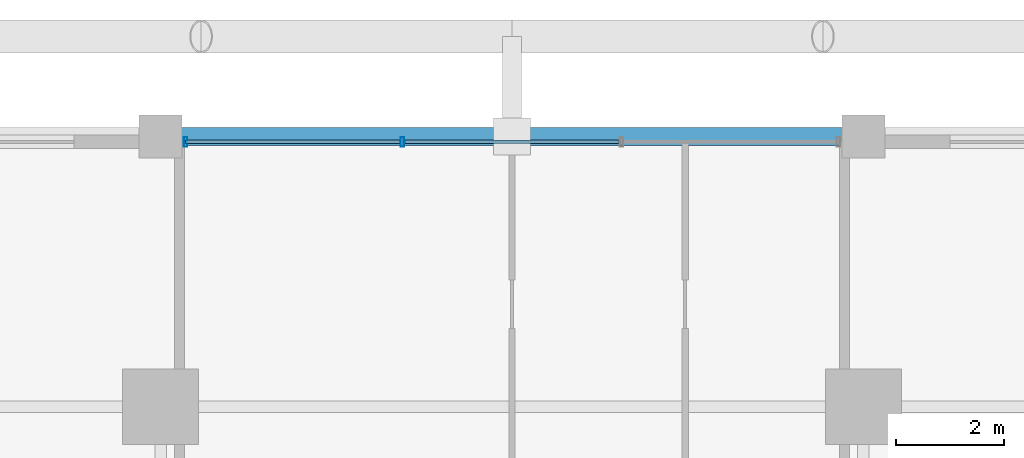
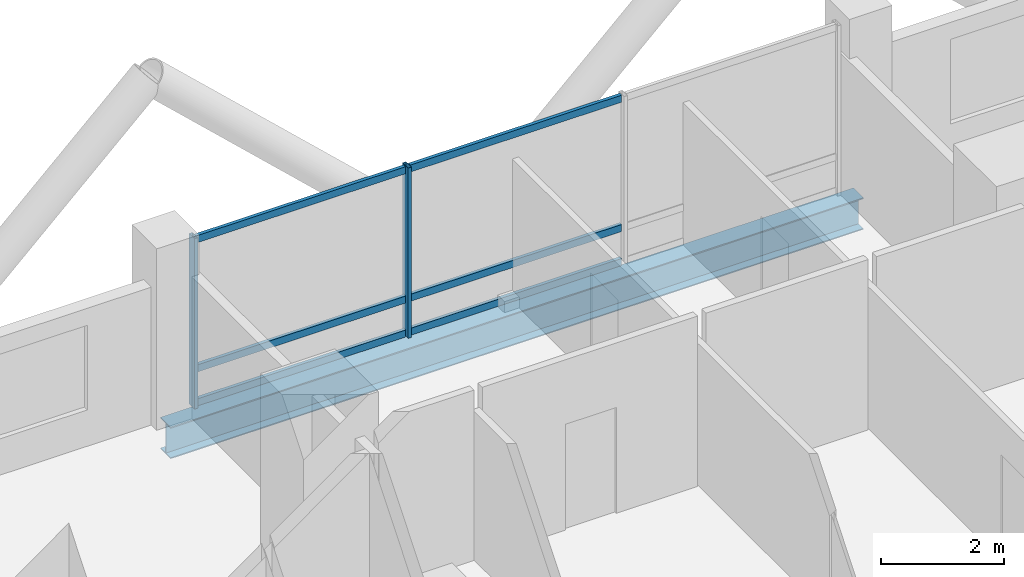
# One storey, part 15 of 28: 8 members, 1 beam, 1 element without a shape of its own.
"""IFC4 building model written with IfcOpenShell, lengths in metres."""

import ifcopenshell
import ifcopenshell.guid

model = None  # the IFC model being written
_history = None  # IfcOwnerHistory: only IFC2X3 demands one
_inside = {}  # id of a spatial element -> (the spatial element, [elements in it])
_under = {}  # id of a project, library or spatial element -> (it, [spatial elements below it])
_declared = {}  # id of a project -> (the project, [libraries it declares])
_typed = {}  # id of a type object -> (the type object, [elements of that type])
_made_of = {}  # id of a material, layer set ... -> (it, [elements and type objects made of it])


def new_model(schema):
    """Start an empty IFC model of exactly this schema.

    Asked for "IFC4X3", IfcOpenShell would pick the latest addendum, in which some entities
    have other attributes; the version numbers below select the first issue.
    IFC2X3 requires an IfcOwnerHistory on every rooted entity: one is made here for all.
    """
    global model, _history
    if schema == "IFC4X3":
        model = ifcopenshell.file(schema_version=(4, 3, 0, 0))
    else:
        model = ifcopenshell.file(schema=schema)
    _inside.clear()
    _under.clear()
    _declared.clear()
    _typed.clear()
    _made_of.clear()
    _history = None
    if model.schema == "IFC2X3":
        org = make("IfcOrganization", Name="unknown")
        user = make(
            "IfcPersonAndOrganization",
            ThePerson=make("IfcPerson", FamilyName="unknown"),
            TheOrganization=org,
        )
        app = make(
            "IfcApplication",
            ApplicationDeveloper=org,
            Version="unknown",
            ApplicationFullName="unknown",
            ApplicationIdentifier="unknown",
        )
        _history = make(
            "IfcOwnerHistory",
            OwningUser=user,
            OwningApplication=app,
            ChangeAction="ADDED",
            CreationDate=0,
        )
    return model


def make(cls, **values):
    """One entity of the class cls with the attributes given. An attribute that is None is left unset."""
    return model.create_entity(
        cls, **{name: value for name, value in values.items() if value is not None}
    )


def rooted(cls, **values):
    """An entity with a GlobalId (a new one), such as an element, a storey or a relation."""
    return make(cls, GlobalId=ifcopenshell.guid.new(), OwnerHistory=_history, **values)


def si_unit(unit_type, name, prefix=None):
    """IfcSIUnit, for example si_unit("LENGTHUNIT", "METRE", prefix="MILLI")."""
    return make("IfcSIUnit", UnitType=unit_type, Prefix=prefix, Name=name)


def assignment(units):
    """IfcUnitAssignment: the units of a project."""
    return None if units is None else make("IfcUnitAssignment", Units=units)


def point(xyz):
    """IfcCartesianPoint."""
    return None if xyz is None else make("IfcCartesianPoint", Coordinates=xyz)


def direction(xyz):
    """IfcDirection."""
    return None if xyz is None else make("IfcDirection", DirectionRatios=xyz)


def frame(location, z_axis=None, x_axis=None):
    """IfcAxis2Placement3D, a coordinate frame: its origin and axes. An axis left out is left unset."""
    return make(
        "IfcAxis2Placement3D",
        Location=point(location),
        Axis=direction(z_axis),
        RefDirection=direction(x_axis),
    )


def frame_2d(location, x_axis=None):
    """IfcAxis2Placement2D, a coordinate frame in the plane: its origin and x axis."""
    return make(
        "IfcAxis2Placement2D", Location=point(location), RefDirection=direction(x_axis)
    )


def origin():
    """The frame at (0, 0, 0) with its axes left unset."""
    return frame((0.0, 0.0, 0.0))


def origin_2d():
    """The frame at (0, 0) in the plane with its x axis left unset."""
    return frame_2d((0.0, 0.0))


def place(relative_to, where):
    """IfcLocalPlacement: puts the frame where relative to a parent placement (None: the world)."""
    return make(
        "IfcLocalPlacement", PlacementRelTo=relative_to, RelativePlacement=where
    )


def context(
    kind, dimensions, precision=None, world=None, true_north=None, identifier=None
):
    """IfcGeometricRepresentationContext, for example the 3D "Model" context."""
    return make(
        "IfcGeometricRepresentationContext",
        ContextIdentifier=identifier,
        ContextType=kind,
        CoordinateSpaceDimension=dimensions,
        Precision=precision,
        WorldCoordinateSystem=world,
        TrueNorth=true_north,
    )


def subcontext(parent, identifier, kind, view, scale=None):
    """IfcGeometricRepresentationSubContext, for example "Body" below "Model"."""
    return make(
        "IfcGeometricRepresentationSubContext",
        ContextIdentifier=identifier,
        ContextType=kind,
        ParentContext=parent,
        TargetScale=scale,
        TargetView=view,
    )


def project(units=None, contexts=None):
    """IfcProject with its units and contexts."""
    return rooted(
        "IfcProject",
        Name="project",
        RepresentationContexts=contexts,
        UnitsInContext=assignment(units),
    )


def spatial(cls, under=None, at=None, **own):
    """A site, building, storey or space (cls), placed at a placement, below another one or the project."""
    s = rooted(cls, ObjectPlacement=at, **own)
    if under is not None:
        _under.setdefault(under.id(), (under, []))[1].append(s)
    return s


def profile(cls, at=None, kind="AREA", **sizes):
    """A parametric profile (cls). Its sizes go by their IFC names, for example OverallWidth=200.0."""
    return make(cls, ProfileType=kind, Position=at, **sizes)


def hollow_rectangle(**sizes):
    """IfcRectangleHollowProfileDef."""
    return profile("IfcRectangleHollowProfileDef", **sizes)


def i_section(**sizes):
    """IfcIShapeProfileDef."""
    return profile("IfcIShapeProfileDef", **sizes)


def extrude(swept, where, along, depth):
    """IfcExtrudedAreaSolid: the profile swept, set in the frame where, extruded along a direction by depth."""
    return make(
        "IfcExtrudedAreaSolid",
        SweptArea=swept,
        Position=where,
        ExtrudedDirection=direction(along),
        Depth=depth,
    )


def shape(context_of_items, identifier, shape_type, items):
    """IfcShapeRepresentation: the items that make up one representation, for example the "Body"."""
    return make(
        "IfcShapeRepresentation",
        ContextOfItems=context_of_items,
        RepresentationIdentifier=identifier,
        RepresentationType=shape_type,
        Items=items,
    )


def material(Name=None, Category=None):
    """IfcMaterial."""
    return make("IfcMaterial", Name=Name, Category=Category)


def layer(
    of_material, thickness, ventilated=None, Name=None, Category=None, Priority=None
):
    """IfcMaterialLayer: one layer of a wall or slab, of a material (None: an air gap)."""
    return make(
        "IfcMaterialLayer",
        Material=of_material,
        LayerThickness=thickness,
        IsVentilated=ventilated,
        Name=Name,
        Category=Category,
        Priority=Priority,
    )


def layer_set(layers, Name=None):
    """IfcMaterialLayerSet."""
    return make("IfcMaterialLayerSet", MaterialLayers=layers, LayerSetName=Name)


def material_profile(
    of_material, cross_section, Name=None, Category=None, Priority=None
):
    """IfcMaterialProfile: a cross section and its material."""
    return make(
        "IfcMaterialProfile",
        Name=Name,
        Material=of_material,
        Profile=cross_section,
        Priority=Priority,
        Category=Category,
    )


def profile_set(profiles, Name=None, composite=None):
    """IfcMaterialProfileSet."""
    return make(
        "IfcMaterialProfileSet",
        Name=Name,
        MaterialProfiles=profiles,
        CompositeProfile=composite,
    )


def made_of(thing, what):
    """Note that an element or type object is made of a material, layer set ...; save() writes the relation."""
    if what is not None:
        _made_of.setdefault(what.id(), (what, []))[1].append(thing)
    return thing


def type_object(cls, material=None, **own):
    """A type object (cls), such as IfcWallType, which elements share."""
    return made_of(rooted(cls, **own), material)


def element(
    cls,
    number,
    at=None,
    inside=None,
    cuts=None,
    type_object=None,
    material=None,
    context=None,
    identifier="Body",
    shape_type=None,
    held_by="IfcProductDefinitionShape",
    body=None,
    shapes=None,
    **own,
):
    """One element of the class cls, such as IfcWall. Its Tag is "e" and its number.

    at: its placement. inside: the storey or other place that contains it. cuts: it is an
    opening in that element (IfcRelVoidsElement). A single representation is given by context,
    identifier, shape_type and body (its items); several are given by shapes. held_by: the class
    of the entity that holds the representations. save() writes the other relations.
    """
    e = rooted(cls, Tag="e%d" % number, ObjectPlacement=at, **own)
    if body is not None:
        shapes = [shape(context, identifier, shape_type, body)]
    if shapes is not None:
        e.Representation = make(held_by, Representations=shapes)
    if inside is not None:
        _inside.setdefault(inside.id(), (inside, []))[1].append(e)
    if cuts is not None:
        rooted(
            "IfcRelVoidsElement", RelatingBuildingElement=cuts, RelatedOpeningElement=e
        )
    if type_object is not None:
        _typed.setdefault(type_object.id(), (type_object, []))[1].append(e)
    return made_of(e, material)


def aggregate(whole, parts):
    """IfcRelAggregates: a whole, such as a stair, and the parts it consists of."""
    return rooted("IfcRelAggregates", RelatingObject=whole, RelatedObjects=parts)


def save(model, path):
    """Write the relations noted so far, then the file.

    IfcRelAggregates (storeys below a building ...), IfcRelContainedInSpatialStructure (elements
    in a storey), IfcRelDefinesByType, IfcRelAssociatesMaterial and IfcRelDeclares: one each for
    every whole, place, type object, material and project.
    """
    for whole, parts in _under.values():
        aggregate(whole, parts)
    for where, things in _inside.values():
        rooted(
            "IfcRelContainedInSpatialStructure",
            RelatedElements=things,
            RelatingStructure=where,
        )
    for kind, things in _typed.values():
        rooted("IfcRelDefinesByType", RelatedObjects=things, RelatingType=kind)
    for what, things in _made_of.values():
        rooted("IfcRelAssociatesMaterial", RelatedObjects=things, RelatingMaterial=what)
    for by, libraries in _declared.values():
        rooted("IfcRelDeclares", RelatingContext=by, RelatedDefinitions=libraries)
    model.write(path)


model = new_model("IFC4")

# Units and contexts
model_context = context("Model", 3, precision=1e-05, world=origin(), true_north=direction((0.0, 1.0)))
body_context = subcontext(model_context, "Body", "Model", "MODEL_VIEW")
ifc_project = project(units=[si_unit("LENGTHUNIT", "METRE"), si_unit("AREAUNIT", "SQUARE_METRE"), si_unit("VOLUMEUNIT", "CUBIC_METRE"), si_unit("PLANEANGLEUNIT", "RADIAN"), si_unit("MASSUNIT", "GRAM", prefix="KILO")], contexts=[model_context])

# Site, building, storey
site_placement = place(None, origin())
site = spatial("IfcSite", under=ifc_project, at=site_placement, CompositionType="ELEMENT")
building_placement = place(site_placement, origin())
building = spatial("IfcBuilding", under=site, at=building_placement, Name="Barlavira Tower and Art Museum", CompositionType="ELEMENT")
storey_placement = place(building_placement, frame((0.0, 0.0, 39.60009765625)))
storey = spatial("IfcBuildingStorey", under=building, at=storey_placement, Name="L08", CompositionType="ELEMENT", Elevation=39.60009765625)

# Curtain wall, members
ifc_material_1 = material(Name="Low-iron coastal laminated glass", Category="glass")
ifc_layer = layer(ifc_material_1, 0.179931640625, Name="Low-iron coastal laminated glass")
ifc_layer_set = layer_set([ifc_layer], Name="Low-iron coastal laminated glass")
curtain_wall_type = type_object("IfcCurtainWallType", Name="Pale-Metal Unitised Curtain Wall Zone 1", PredefinedType="NOTDEFINED", material=ifc_layer_set)
curtain_wall_placement = place(storey_placement, origin())
curtain_wall = element("IfcCurtainWall", 1, at=curtain_wall_placement, inside=storey, type_object=curtain_wall_type, Name="L08 Curtain Wall CW1-L08-N-B3", PredefinedType="NOTDEFINED")
ifc_material_2 = material(Name="Pale anodised aluminium", Category="aluminium")
ifc_material_profile_1 = material_profile(ifc_material_2, hollow_rectangle(XDim=0.06494140625, YDim=0.179931640625, WallThickness=0.00390625, at=origin_2d()), Name="ALU-MULL 65x180x4")
ifc_profile_set_1 = profile_set([ifc_material_profile_1], Name="Pale anodised aluminium")
member_type_1 = type_object("IfcMemberType", Name="Curtain Wall Pale-Metal Mullion 65x180", PredefinedType="MULLION", material=ifc_profile_set_1)
member_1_placement = place(storey_placement, frame((-2.026611328125, 24.89990234375, 0.0), z_axis=(0.0, 0.0, 1.0), x_axis=(-1.0, 0.0, 0.0)))
member_1 = element("IfcMember", 2, at=member_1_placement, type_object=member_type_1, Name="CW1-L08-N-B3 Mullion 2", PredefinedType="MULLION", context=body_context, shape_type="SweptSolid", body=[
    extrude(hollow_rectangle(XDim=0.06494140625, YDim=0.179931640625, WallThickness=0.00390625, at=origin_2d()), origin(), (0.0, 0.0, 1.0), 3.3798828125),
])
member_2_placement = place(storey_placement, frame((-6.034912109375, 24.89990234375, 0.0), z_axis=(0.0, 0.0, 1.0), x_axis=(-1.0, 0.0, 0.0)))
member_2 = element("IfcMember", 3, at=member_2_placement, type_object=member_type_1, Name="CW1-L08-N-B3 Mullion 3", PredefinedType="MULLION", context=body_context, shape_type="SweptSolid", body=[
    extrude(hollow_rectangle(XDim=0.06494140625, YDim=0.179931640625, WallThickness=0.00390625, at=origin_2d()), origin(), (0.0, 0.0, 1.0), 3.3798828125),
])
ifc_material_profile_2 = material_profile(ifc_material_2, hollow_rectangle(XDim=0.06494140625, YDim=0.139892578125, WallThickness=0.00390625, at=origin_2d()), Name="ALU-TRAN 65x140x4")
ifc_profile_set_2 = profile_set([ifc_material_profile_2], Name="Pale anodised aluminium")
member_type_2 = type_object("IfcMemberType", Name="Curtain Wall Pale-Metal Transom 65x140", PredefinedType="USERDEFINED", material=ifc_profile_set_2)
member_3_placement = place(storey_placement, frame((1.981689453125, 24.89990234375, 0.06982421875), z_axis=(-1.0, 0.0, 0.0), x_axis=(0.0, -1.0, 0.0)))
member_3 = element("IfcMember", 4, at=member_3_placement, type_object=member_type_2, Name="CW1-L08-N-B3 Transom 1.1", ObjectType="TRANSOM", PredefinedType="USERDEFINED", context=body_context, shape_type="SweptSolid", body=[
    extrude(hollow_rectangle(XDim=0.06494140625, YDim=0.139892578125, WallThickness=0.00390625, at=origin_2d()), origin(), (0.0, 0.0, 1.0), 3.96337890625),
])
member_4_placement = place(storey_placement, frame((1.981689453125, 24.89990234375, 0.743896484375), z_axis=(-1.0, 0.0, 0.0), x_axis=(0.0, -1.0, 0.0)))
member_4 = element("IfcMember", 5, at=member_4_placement, type_object=member_type_2, Name="CW1-L08-N-B3 Transom 1.2", ObjectType="TRANSOM", PredefinedType="USERDEFINED", context=body_context, shape_type="SweptSolid", body=[
    extrude(hollow_rectangle(XDim=0.06494140625, YDim=0.139892578125, WallThickness=0.00390625, at=origin_2d()), origin(), (0.0, 0.0, 1.0), 3.96337890625),
])
member_5_placement = place(storey_placement, frame((1.981689453125, 24.89990234375, 3.309814453125), z_axis=(-1.0, 0.0, 0.0), x_axis=(0.0, -1.0, 0.0)))
member_5 = element("IfcMember", 6, at=member_5_placement, type_object=member_type_2, Name="CW1-L08-N-B3 Transom 1.3", ObjectType="TRANSOM", PredefinedType="USERDEFINED", context=body_context, shape_type="SweptSolid", body=[
    extrude(hollow_rectangle(XDim=0.06494140625, YDim=0.139892578125, WallThickness=0.00390625, at=origin_2d()), origin(), (0.0, 0.0, 1.0), 3.96337890625),
])
member_6_placement = place(storey_placement, frame((-2.07177734375, 24.89990234375, 0.06982421875), z_axis=(-1.0, 0.0, 0.0), x_axis=(0.0, -1.0, 0.0)))
member_6 = element("IfcMember", 7, at=member_6_placement, type_object=member_type_2, Name="CW1-L08-N-B3 Transom 2.1", ObjectType="TRANSOM", PredefinedType="USERDEFINED", context=body_context, shape_type="SweptSolid", body=[
    extrude(hollow_rectangle(XDim=0.06494140625, YDim=0.139892578125, WallThickness=0.00390625, at=origin_2d()), origin(), (0.0, 0.0, 1.0), 3.963134765625),
])
member_7_placement = place(storey_placement, frame((-2.07177734375, 24.89990234375, 0.743896484375), z_axis=(-1.0, 0.0, 0.0), x_axis=(0.0, -1.0, 0.0)))
member_7 = element("IfcMember", 8, at=member_7_placement, type_object=member_type_2, Name="CW1-L08-N-B3 Transom 2.2", ObjectType="TRANSOM", PredefinedType="USERDEFINED", context=body_context, shape_type="SweptSolid", body=[
    extrude(hollow_rectangle(XDim=0.06494140625, YDim=0.139892578125, WallThickness=0.00390625, at=origin_2d()), origin(), (0.0, 0.0, 1.0), 3.963134765625),
])
member_8_placement = place(storey_placement, frame((-2.07177734375, 24.89990234375, 3.309814453125), z_axis=(-1.0, 0.0, 0.0), x_axis=(0.0, -1.0, 0.0)))
member_8 = element("IfcMember", 9, at=member_8_placement, type_object=member_type_2, Name="CW1-L08-N-B3 Transom 2.3", ObjectType="TRANSOM", PredefinedType="USERDEFINED", context=body_context, shape_type="SweptSolid", body=[
    extrude(hollow_rectangle(XDim=0.06494140625, YDim=0.139892578125, WallThickness=0.00390625, at=origin_2d()), origin(), (0.0, 0.0, 1.0), 3.963134765625),
])
aggregate(curtain_wall, [member_1, member_2, member_3, member_4, member_5, member_6, member_7, member_8])

# Beam
ifc_material_3 = material(Name="Steel S355", Category="steel")
ifc_material_profile_3 = material_profile(ifc_material_3, i_section(OverallWidth=0.327880859375, OverallDepth=0.62890625, WebThickness=0.013916015625, FlangeThickness=0.021484375, at=origin_2d()), Name="W610x174.0")
ifc_profile_set_3 = profile_set([ifc_material_profile_3], Name="Steel S355")
beam_type = type_object("IfcBeamType", Name="Perimeter Spandrel Edge Beam W610x174 Steel S355", PredefinedType="SPANDREL", material=ifc_profile_set_3)
beam_placement = place(storey_placement, frame((-6.5, 25.0, -0.53466796875), z_axis=(1.0, 0.0, 0.0), x_axis=(0.0, 1.0, 0.0)))
element("IfcBeam", 10, at=beam_placement, inside=storey, type_object=beam_type, Name="L08 Spandrel 10", PredefinedType="SPANDREL", context=body_context, shape_type="SweptSolid", body=[
    extrude(i_section(OverallWidth=0.327880859375, OverallDepth=0.62890625, WebThickness=0.013916015625, FlangeThickness=0.021484375, at=origin_2d()), origin(), (0.0, 0.0, 1.0), 13.0),
])

save(model, "model.ifc")
